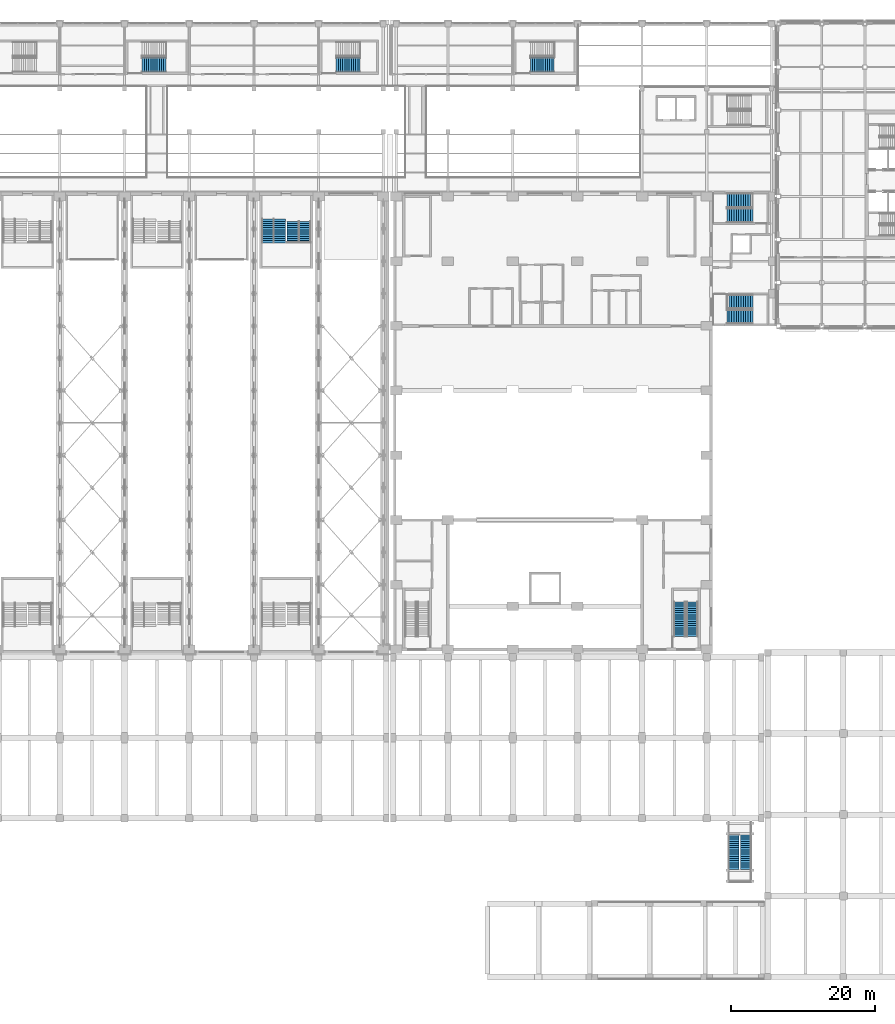
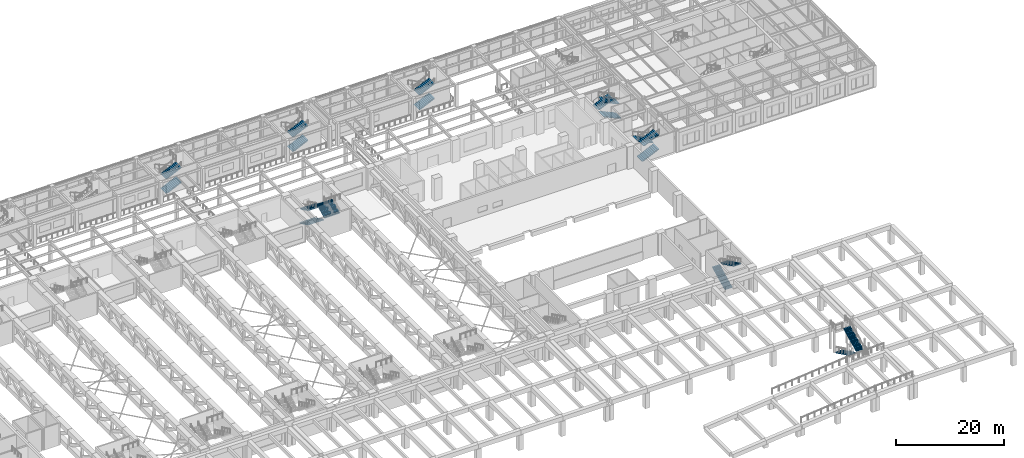
# One storey, part 50 of 76: 22 stair flights, 9 elements without a shape of their own.
"""IFC4 building model written with IfcOpenShell, lengths in metres."""

from ifc_helpers import new_model, si_unit, direction, frame, origin, place, context, subcontext, project, spatial, polyline, outline, extrude, material, type_object, element, aggregate, save


model = new_model("IFC4")

# Units and contexts
model_context = context("Model", 3, precision=1e-05, world=origin(), true_north=direction((0.0, 1.0)))
body_context = subcontext(model_context, "Body", "Model", "MODEL_VIEW")
ifc_project = project(units=[si_unit("LENGTHUNIT", "METRE"), si_unit("AREAUNIT", "SQUARE_METRE"), si_unit("VOLUMEUNIT", "CUBIC_METRE"), si_unit("PLANEANGLEUNIT", "RADIAN"), si_unit("MASSUNIT", "GRAM", prefix="KILO")], contexts=[model_context])

# Site, building, storey
site_placement = place(None, origin())
site = spatial("IfcSite", under=ifc_project, at=site_placement, CompositionType="ELEMENT")
building_placement = place(site_placement, origin())
building = spatial("IfcBuilding", under=site, at=building_placement, Name="Aravalli Gate Trade Fair Centre", CompositionType="ELEMENT")
storey_placement = place(building_placement, frame((0.0, 0.0, 10.0)))
storey = spatial("IfcBuildingStorey", under=building, at=storey_placement, Name="L02", CompositionType="ELEMENT", Elevation=10.0)

# Stair, stair flights
ifc_material_1 = material(Name="Concrete M30", Category="concrete")
stair_type_1 = type_object("IfcStairType", Name="Concourse stair, 2000 wide", PredefinedType="HALF_TURN_STAIR", material=ifc_material_1)
stair_1_placement = place(storey_placement, origin())
stair_1 = element("IfcStair", 1, at=stair_1_placement, inside=storey, type_object=stair_type_1, Name="Stair XC L02", PredefinedType="HALF_TURN_STAIR")
stair_flight_type_1 = type_object("IfcStairFlightType", Name="Concourse stair flight 2000", PredefinedType="STRAIGHT", material=ifc_material_1)
stair_flight_1_placement = place(storey_placement, frame((71.449951171875, 127.300048828125, 0.0), z_axis=(0.0, 0.0, 1.0), x_axis=(1.0, 0.0, 0.0)))
stair_flight_1 = element("IfcStairFlight", 2, at=stair_flight_1_placement, type_object=stair_flight_type_1, Name="STXC-L02 flight 1", NumberOfRisers=12, NumberOfTreads=11, PredefinedType="STRAIGHT", RiserHeight=0.138888889, TreadLength=0.3, context=body_context, shape_type="SweptSolid", body=[
    extrude(outline(polyline([(0.0, 0.0), (0.0, 0.138916015625), (0.300048828125, 0.138916015625), (0.300048828125, 0.27783203125), (0.60009765625, 0.27783203125), (0.60009765625, 0.416748046875), (0.89990234375, 0.416748046875), (0.89990234375, 0.5556640625), (1.199951171875, 0.5556640625), (1.199951171875, 0.6943359375), (1.5, 0.6943359375), (1.5, 0.833251953125), (1.800048828125, 0.833251953125), (1.800048828125, 0.97216796875), (2.10009765625, 0.97216796875), (2.10009765625, 1.111083984375), (2.39990234375, 1.111083984375), (2.39990234375, 1.25), (2.699951171875, 1.25), (2.699951171875, 1.388916015625), (3.0, 1.388916015625), (3.0, 1.52783203125), (3.300048828125, 1.52783203125), (3.300048828125, 1.666748046875), (3.300048828125, 1.307373046875), (0.475830078125, 0.0), (0.0, 0.0)])), frame((0.0, 1.0, 0.0), z_axis=(0.0, -1.0, 0.0), x_axis=(1.0, 0.0, 0.0)), (0.0, 0.0, 1.0), 2.0),
])
stair_flight_2_placement = place(storey_placement, frame((71.449951171875, 127.300048828125, 3.333251953125), z_axis=(0.0, 0.0, 1.0), x_axis=(1.0, 0.0, 0.0)))
stair_flight_2 = element("IfcStairFlight", 3, at=stair_flight_2_placement, type_object=stair_flight_type_1, Name="STXC-L02 flight 3", NumberOfRisers=12, NumberOfTreads=11, PredefinedType="STRAIGHT", RiserHeight=0.138888889, TreadLength=0.3, context=body_context, shape_type="SweptSolid", body=[
    extrude(outline(polyline([(0.0, 0.0), (0.0, 0.138916015625), (0.300048828125, 0.138916015625), (0.300048828125, 0.27783203125), (0.60009765625, 0.27783203125), (0.60009765625, 0.416748046875), (0.89990234375, 0.416748046875), (0.89990234375, 0.5556640625), (1.199951171875, 0.5556640625), (1.199951171875, 0.6943359375), (1.5, 0.6943359375), (1.5, 0.833251953125), (1.800048828125, 0.833251953125), (1.800048828125, 0.97216796875), (2.10009765625, 0.97216796875), (2.10009765625, 1.111083984375), (2.39990234375, 1.111083984375), (2.39990234375, 1.25), (2.699951171875, 1.25), (2.699951171875, 1.388916015625), (3.0, 1.388916015625), (3.0, 1.52783203125), (3.300048828125, 1.52783203125), (3.300048828125, 1.666748046875), (3.300048828125, 1.307373046875), (0.475830078125, 0.0), (0.0, 0.0)])), frame((0.0, 1.0, 0.0), z_axis=(0.0, -1.0, 0.0), x_axis=(1.0, 0.0, 0.0)), (0.0, 0.0, 1.0), 2.0),
])
aggregate(stair_1, [stair_flight_1, stair_flight_2])

stair_2_placement = place(storey_placement, origin())
stair_2 = element("IfcStair", 4, at=stair_2_placement, inside=storey, type_object=stair_type_1, Name="Stair XD L02", PredefinedType="HALF_TURN_STAIR")
stair_flight_3_placement = place(storey_placement, frame((98.449951171875, 127.300048828125, 0.0), z_axis=(0.0, 0.0, 1.0), x_axis=(1.0, 0.0, 0.0)))
stair_flight_3 = element("IfcStairFlight", 5, at=stair_flight_3_placement, type_object=stair_flight_type_1, Name="STXD-L02 flight 1", NumberOfRisers=12, NumberOfTreads=11, PredefinedType="STRAIGHT", RiserHeight=0.138888889, TreadLength=0.3, context=body_context, shape_type="SweptSolid", body=[
    extrude(outline(polyline([(0.0, 0.0), (0.0, 0.138916015625), (0.300048828125, 0.138916015625), (0.300048828125, 0.27783203125), (0.60009765625, 0.27783203125), (0.60009765625, 0.416748046875), (0.89990234375, 0.416748046875), (0.89990234375, 0.5556640625), (1.199951171875, 0.5556640625), (1.199951171875, 0.6943359375), (1.5, 0.6943359375), (1.5, 0.833251953125), (1.800048828125, 0.833251953125), (1.800048828125, 0.97216796875), (2.10009765625, 0.97216796875), (2.10009765625, 1.111083984375), (2.39990234375, 1.111083984375), (2.39990234375, 1.25), (2.699951171875, 1.25), (2.699951171875, 1.388916015625), (3.0, 1.388916015625), (3.0, 1.52783203125), (3.300048828125, 1.52783203125), (3.300048828125, 1.666748046875), (3.300048828125, 1.307373046875), (0.475830078125, 0.0), (0.0, 0.0)])), frame((0.0, 1.0, 0.0), z_axis=(0.0, -1.0, 0.0), x_axis=(1.0, 0.0, 0.0)), (0.0, 0.0, 1.0), 2.0),
])
stair_flight_4_placement = place(storey_placement, frame((98.449951171875, 127.300048828125, 3.333251953125), z_axis=(0.0, 0.0, 1.0), x_axis=(1.0, 0.0, 0.0)))
stair_flight_4 = element("IfcStairFlight", 6, at=stair_flight_4_placement, type_object=stair_flight_type_1, Name="STXD-L02 flight 3", NumberOfRisers=12, NumberOfTreads=11, PredefinedType="STRAIGHT", RiserHeight=0.138888889, TreadLength=0.3, context=body_context, shape_type="SweptSolid", body=[
    extrude(outline(polyline([(0.0, 0.0), (0.0, 0.138916015625), (0.300048828125, 0.138916015625), (0.300048828125, 0.27783203125), (0.60009765625, 0.27783203125), (0.60009765625, 0.416748046875), (0.89990234375, 0.416748046875), (0.89990234375, 0.5556640625), (1.199951171875, 0.5556640625), (1.199951171875, 0.6943359375), (1.5, 0.6943359375), (1.5, 0.833251953125), (1.800048828125, 0.833251953125), (1.800048828125, 0.97216796875), (2.10009765625, 0.97216796875), (2.10009765625, 1.111083984375), (2.39990234375, 1.111083984375), (2.39990234375, 1.25), (2.699951171875, 1.25), (2.699951171875, 1.388916015625), (3.0, 1.388916015625), (3.0, 1.52783203125), (3.300048828125, 1.52783203125), (3.300048828125, 1.666748046875), (3.300048828125, 1.307373046875), (0.475830078125, 0.0), (0.0, 0.0)])), frame((0.0, 1.0, 0.0), z_axis=(0.0, -1.0, 0.0), x_axis=(1.0, 0.0, 0.0)), (0.0, 0.0, 1.0), 2.0),
])
aggregate(stair_2, [stair_flight_3, stair_flight_4])

stair_3_placement = place(storey_placement, origin())
stair_3 = element("IfcStair", 7, at=stair_3_placement, inside=storey, type_object=stair_type_1, Name="Stair XE L02", PredefinedType="HALF_TURN_STAIR")
stair_flight_5_placement = place(storey_placement, frame((125.449951171875, 127.300048828125, 0.0), z_axis=(0.0, 0.0, 1.0), x_axis=(1.0, 0.0, 0.0)))
stair_flight_5 = element("IfcStairFlight", 8, at=stair_flight_5_placement, type_object=stair_flight_type_1, Name="STXE-L02 flight 1", NumberOfRisers=12, NumberOfTreads=11, PredefinedType="STRAIGHT", RiserHeight=0.138888889, TreadLength=0.3, context=body_context, shape_type="SweptSolid", body=[
    extrude(outline(polyline([(0.0, 0.0), (0.0, 0.138916015625), (0.300048828125, 0.138916015625), (0.300048828125, 0.27783203125), (0.60009765625, 0.27783203125), (0.60009765625, 0.416748046875), (0.89990234375, 0.416748046875), (0.89990234375, 0.5556640625), (1.199951171875, 0.5556640625), (1.199951171875, 0.6943359375), (1.5, 0.6943359375), (1.5, 0.833251953125), (1.800048828125, 0.833251953125), (1.800048828125, 0.97216796875), (2.10009765625, 0.97216796875), (2.10009765625, 1.111083984375), (2.39990234375, 1.111083984375), (2.39990234375, 1.25), (2.699951171875, 1.25), (2.699951171875, 1.388916015625), (3.0, 1.388916015625), (3.0, 1.52783203125), (3.300048828125, 1.52783203125), (3.300048828125, 1.666748046875), (3.300048828125, 1.307373046875), (0.475830078125, 0.0), (0.0, 0.0)])), frame((0.0, 1.0, 0.0), z_axis=(0.0, -1.0, 0.0), x_axis=(1.0, 0.0, 0.0)), (0.0, 0.0, 1.0), 2.0),
])
stair_flight_6_placement = place(storey_placement, frame((125.449951171875, 127.300048828125, 3.333251953125), z_axis=(0.0, 0.0, 1.0), x_axis=(1.0, 0.0, 0.0)))
stair_flight_6 = element("IfcStairFlight", 9, at=stair_flight_6_placement, type_object=stair_flight_type_1, Name="STXE-L02 flight 3", NumberOfRisers=12, NumberOfTreads=11, PredefinedType="STRAIGHT", RiserHeight=0.138888889, TreadLength=0.3, context=body_context, shape_type="SweptSolid", body=[
    extrude(outline(polyline([(0.0, 0.0), (0.0, 0.138916015625), (0.300048828125, 0.138916015625), (0.300048828125, 0.27783203125), (0.60009765625, 0.27783203125), (0.60009765625, 0.416748046875), (0.89990234375, 0.416748046875), (0.89990234375, 0.5556640625), (1.199951171875, 0.5556640625), (1.199951171875, 0.6943359375), (1.5, 0.6943359375), (1.5, 0.833251953125), (1.800048828125, 0.833251953125), (1.800048828125, 0.97216796875), (2.10009765625, 0.97216796875), (2.10009765625, 1.111083984375), (2.39990234375, 1.111083984375), (2.39990234375, 1.25), (2.699951171875, 1.25), (2.699951171875, 1.388916015625), (3.0, 1.388916015625), (3.0, 1.52783203125), (3.300048828125, 1.52783203125), (3.300048828125, 1.666748046875), (3.300048828125, 1.307373046875), (0.475830078125, 0.0), (0.0, 0.0)])), frame((0.0, 1.0, 0.0), z_axis=(0.0, -1.0, 0.0), x_axis=(1.0, 0.0, 0.0)), (0.0, 0.0, 1.0), 2.0),
])
aggregate(stair_3, [stair_flight_5, stair_flight_6])

ifc_material_2 = material(Name="Concrete M45", Category="concrete")
stair_type_2 = type_object("IfcStairType", Name="Congress exit stair", PredefinedType="HALF_TURN_STAIR", material=ifc_material_2)
stair_4_placement = place(storey_placement, origin())
stair_4 = element("IfcStair", 10, at=stair_4_placement, inside=storey, type_object=stair_type_2, Name="Stage Stair East L02", PredefinedType="HALF_TURN_STAIR")
stair_flight_type_2 = type_object("IfcStairFlightType", Name="Congress exit stair flight", PredefinedType="STRAIGHT", material=ifc_material_2)
stair_flight_7_placement = place(storey_placement, frame((146.199951171875, 47.800048828125, 0.0), z_axis=(0.0, 0.0, 1.0), x_axis=(0.0, 1.0, 0.0)))
stair_flight_7 = element("IfcStairFlight", 11, at=stair_flight_7_placement, type_object=stair_flight_type_2, Name="GX2 flight 1", NumberOfRisers=17, NumberOfTreads=16, PredefinedType="STRAIGHT", RiserHeight=0.147058824, TreadLength=0.3, context=body_context, shape_type="SweptSolid", body=[
    extrude(outline(polyline([(0.0, 0.0), (0.0, 0.14697265625), (0.300048828125, 0.14697265625), (0.300048828125, 0.294189453125), (0.60009765625, 0.294189453125), (0.60009765625, 0.441162109375), (0.89990234375, 0.441162109375), (0.89990234375, 0.588134765625), (1.199951171875, 0.588134765625), (1.199951171875, 0.7353515625), (1.5, 0.7353515625), (1.5, 0.88232421875), (1.800048828125, 0.88232421875), (1.800048828125, 1.029296875), (2.10009765625, 1.029296875), (2.10009765625, 1.176513671875), (2.39990234375, 1.176513671875), (2.39990234375, 1.323486328125), (2.699951171875, 1.323486328125), (2.699951171875, 1.470703125), (3.0, 1.470703125), (3.0, 1.61767578125), (3.300048828125, 1.61767578125), (3.300048828125, 1.7646484375), (3.60009765625, 1.7646484375), (3.60009765625, 1.911865234375), (3.89990234375, 1.911865234375), (3.89990234375, 2.058837890625), (4.199951171875, 2.058837890625), (4.199951171875, 2.205810546875), (4.5, 2.205810546875), (4.5, 2.35302734375), (4.800048828125, 2.35302734375), (4.800048828125, 2.5), (4.800048828125, 2.18603515625), (0.340576171875, 0.0), (0.0, 0.0)])), frame((0.0, 0.800048828125, 0.0), z_axis=(0.0, -1.0, 0.0), x_axis=(1.0, 0.0, 0.0)), (0.0, 0.0, 1.0), 1.60009765625),
])
stair_flight_8_placement = place(storey_placement, frame((148.0, 52.60009765625, 2.5), z_axis=(0.0, 0.0, 1.0), x_axis=(0.0, -1.0, 0.0)))
stair_flight_8 = element("IfcStairFlight", 12, at=stair_flight_8_placement, type_object=stair_flight_type_2, Name="GX2 flight 2", NumberOfRisers=17, NumberOfTreads=16, PredefinedType="STRAIGHT", RiserHeight=0.147058824, TreadLength=0.3, context=body_context, shape_type="SweptSolid", body=[
    extrude(outline(polyline([(0.0, 0.0), (0.0, 0.14697265625), (0.300048828125, 0.14697265625), (0.300048828125, 0.294189453125), (0.60009765625, 0.294189453125), (0.60009765625, 0.441162109375), (0.89990234375, 0.441162109375), (0.89990234375, 0.588134765625), (1.199951171875, 0.588134765625), (1.199951171875, 0.7353515625), (1.5, 0.7353515625), (1.5, 0.88232421875), (1.800048828125, 0.88232421875), (1.800048828125, 1.029296875), (2.10009765625, 1.029296875), (2.10009765625, 1.176513671875), (2.39990234375, 1.176513671875), (2.39990234375, 1.323486328125), (2.699951171875, 1.323486328125), (2.699951171875, 1.470703125), (3.0, 1.470703125), (3.0, 1.61767578125), (3.300048828125, 1.61767578125), (3.300048828125, 1.7646484375), (3.60009765625, 1.7646484375), (3.60009765625, 1.911865234375), (3.89990234375, 1.911865234375), (3.89990234375, 2.058837890625), (4.199951171875, 2.058837890625), (4.199951171875, 2.205810546875), (4.5, 2.205810546875), (4.5, 2.35302734375), (4.800048828125, 2.35302734375), (4.800048828125, 2.5), (4.800048828125, 2.18603515625), (0.340576171875, 0.0), (0.0, 0.0)])), frame((0.0, 0.800048828125, 0.0), z_axis=(0.0, -1.0, 0.0), x_axis=(1.0, 0.0, 0.0)), (0.0, 0.0, 1.0), 1.60009765625),
])
aggregate(stair_4, [stair_flight_7, stair_flight_8])

stair_type_3 = type_object("IfcStairType", Name="External stair 1500", PredefinedType="HALF_TURN_STAIR", material=ifc_material_2)
stair_5_placement = place(storey_placement, origin())
stair_5 = element("IfcStair", 13, at=stair_5_placement, inside=storey, type_object=stair_type_3, Name="External stair 2 L02", PredefinedType="HALF_TURN_STAIR")
stair_flight_type_3 = type_object("IfcStairFlightType", Name="External stair flight 1500", PredefinedType="STRAIGHT", material=ifc_material_2)
stair_flight_9_placement = place(storey_placement, frame((153.75, 20.199951171875, 0.0), z_axis=(0.0, 0.0, 1.0), x_axis=(0.0, -1.0, 0.0)))
stair_flight_9 = element("IfcStairFlight", 14, at=stair_flight_9_placement, type_object=stair_flight_type_3, Name="SST6 flight 1", NumberOfRisers=17, NumberOfTreads=16, PredefinedType="STRAIGHT", RiserHeight=0.147058824, TreadLength=0.3, context=body_context, shape_type="SweptSolid", body=[
    extrude(outline(polyline([(0.0, 0.0), (0.0, 0.14697265625), (0.300048828125, 0.14697265625), (0.300048828125, 0.294189453125), (0.60009765625, 0.294189453125), (0.60009765625, 0.441162109375), (0.89990234375, 0.441162109375), (0.89990234375, 0.588134765625), (1.199951171875, 0.588134765625), (1.199951171875, 0.7353515625), (1.5, 0.7353515625), (1.5, 0.88232421875), (1.800048828125, 0.88232421875), (1.800048828125, 1.029296875), (2.10009765625, 1.029296875), (2.10009765625, 1.176513671875), (2.39990234375, 1.176513671875), (2.39990234375, 1.323486328125), (2.699951171875, 1.323486328125), (2.699951171875, 1.470703125), (3.0, 1.470703125), (3.0, 1.61767578125), (3.300048828125, 1.61767578125), (3.300048828125, 1.7646484375), (3.60009765625, 1.7646484375), (3.60009765625, 1.911865234375), (3.89990234375, 1.911865234375), (3.89990234375, 2.058837890625), (4.199951171875, 2.058837890625), (4.199951171875, 2.205810546875), (4.5, 2.205810546875), (4.5, 2.35302734375), (4.800048828125, 2.35302734375), (4.800048828125, 2.5), (4.800048828125, 2.18603515625), (0.340576171875, 0.0), (0.0, 0.0)])), frame((0.0, 0.75, 0.0), z_axis=(0.0, -1.0, 0.0), x_axis=(1.0, 0.0, 0.0)), (0.0, 0.0, 1.0), 1.5),
])
stair_flight_10_placement = place(storey_placement, frame((155.449951171875, 15.39990234375, 2.5), z_axis=(0.0, 0.0, 1.0), x_axis=(0.0, 1.0, 0.0)))
stair_flight_10 = element("IfcStairFlight", 15, at=stair_flight_10_placement, type_object=stair_flight_type_3, Name="SST6 flight 2", NumberOfRisers=17, NumberOfTreads=16, PredefinedType="STRAIGHT", RiserHeight=0.147058824, TreadLength=0.3, context=body_context, shape_type="SweptSolid", body=[
    extrude(outline(polyline([(0.0, 0.0), (0.0, 0.14697265625), (0.300048828125, 0.14697265625), (0.300048828125, 0.294189453125), (0.60009765625, 0.294189453125), (0.60009765625, 0.441162109375), (0.89990234375, 0.441162109375), (0.89990234375, 0.588134765625), (1.199951171875, 0.588134765625), (1.199951171875, 0.7353515625), (1.5, 0.7353515625), (1.5, 0.88232421875), (1.800048828125, 0.88232421875), (1.800048828125, 1.029296875), (2.10009765625, 1.029296875), (2.10009765625, 1.176513671875), (2.39990234375, 1.176513671875), (2.39990234375, 1.323486328125), (2.699951171875, 1.323486328125), (2.699951171875, 1.470703125), (3.0, 1.470703125), (3.0, 1.61767578125), (3.300048828125, 1.61767578125), (3.300048828125, 1.7646484375), (3.60009765625, 1.7646484375), (3.60009765625, 1.911865234375), (3.89990234375, 1.911865234375), (3.89990234375, 2.058837890625), (4.199951171875, 2.058837890625), (4.199951171875, 2.205810546875), (4.5, 2.205810546875), (4.5, 2.35302734375), (4.800048828125, 2.35302734375), (4.800048828125, 2.5), (4.800048828125, 2.18603515625), (0.340576171875, 0.0), (0.0, 0.0)])), frame((0.0, 0.75, 0.0), z_axis=(0.0, -1.0, 0.0), x_axis=(1.0, 0.0, 0.0)), (0.0, 0.0, 1.0), 1.5),
])
aggregate(stair_5, [stair_flight_9, stair_flight_10])

ifc_material_3 = material(Name="Concrete M40", Category="concrete")
stair_type_4 = type_object("IfcStairType", Name="Hall exit stair, three flights", PredefinedType="HALF_TURN_STAIR", material=ifc_material_3)
stair_6_placement = place(storey_placement, origin())
stair_6 = element("IfcStair", 16, at=stair_6_placement, inside=storey, type_object=stair_type_4, Name="Exit stair ST-N10 lane A L02", PredefinedType="HALF_TURN_STAIR")
stair_flight_type_4 = type_object("IfcStairFlightType", Name="Hall exit stair flight", PredefinedType="STRAIGHT", material=ifc_material_3)
stair_flight_11_placement = place(storey_placement, frame((88.919921875, 105.85009765625, 0.0), z_axis=(0.0, 0.0, 1.0), x_axis=(0.0, -1.0, 0.0)))
stair_flight_11 = element("IfcStairFlight", 17, at=stair_flight_11_placement, type_object=stair_flight_type_4, Name="ST-N10A flight 1", NumberOfRisers=12, NumberOfTreads=11, PredefinedType="STRAIGHT", RiserHeight=0.147058824, TreadLength=0.3, context=body_context, shape_type="SweptSolid", body=[
    extrude(outline(polyline([(0.0, 0.0), (0.0, 0.14697265625), (0.300048828125, 0.14697265625), (0.300048828125, 0.294189453125), (0.60009765625, 0.294189453125), (0.60009765625, 0.441162109375), (0.89990234375, 0.441162109375), (0.89990234375, 0.588134765625), (1.199951171875, 0.588134765625), (1.199951171875, 0.7353515625), (1.5, 0.7353515625), (1.5, 0.88232421875), (1.800048828125, 0.88232421875), (1.800048828125, 1.029296875), (2.10009765625, 1.029296875), (2.10009765625, 1.176513671875), (2.39990234375, 1.176513671875), (2.39990234375, 1.323486328125), (2.699951171875, 1.323486328125), (2.699951171875, 1.470703125), (3.0, 1.470703125), (3.0, 1.61767578125), (3.300048828125, 1.61767578125), (3.300048828125, 1.7646484375), (3.300048828125, 1.45068359375), (0.340576171875, 0.0), (0.0, 0.0)])), frame((0.0, 0.81982421875, 0.0), z_axis=(0.0, -1.0, 0.0), x_axis=(1.0, 0.0, 0.0)), (0.0, 0.0, 1.0), 1.639892578125),
])
stair_flight_12_placement = place(storey_placement, frame((92.419921875, 102.550048828125, 1.7646484375), z_axis=(0.0, 0.0, 1.0), x_axis=(0.0, 1.0, 0.0)))
stair_flight_12 = element("IfcStairFlight", 18, at=stair_flight_12_placement, type_object=stair_flight_type_4, Name="ST-N10A flight 2", NumberOfRisers=11, NumberOfTreads=10, PredefinedType="STRAIGHT", RiserHeight=0.147058824, TreadLength=0.3, context=body_context, shape_type="SweptSolid", body=[
    extrude(outline(polyline([(0.0, 0.0), (0.0, 0.14697265625), (0.300048828125, 0.14697265625), (0.300048828125, 0.294189453125), (0.60009765625, 0.294189453125), (0.60009765625, 0.441162109375), (0.89990234375, 0.441162109375), (0.89990234375, 0.588134765625), (1.199951171875, 0.588134765625), (1.199951171875, 0.7353515625), (1.5, 0.7353515625), (1.5, 0.88232421875), (1.800048828125, 0.88232421875), (1.800048828125, 1.029296875), (2.10009765625, 1.029296875), (2.10009765625, 1.176513671875), (2.39990234375, 1.176513671875), (2.39990234375, 1.323486328125), (2.699951171875, 1.323486328125), (2.699951171875, 1.470703125), (3.0, 1.470703125), (3.0, 1.61767578125), (3.0, 1.3037109375), (0.340576171875, 0.0), (0.0, 0.0)])), frame((0.0, 0.81982421875, 0.0), z_axis=(0.0, -1.0, 0.0), x_axis=(1.0, 0.0, 0.0)), (0.0, 0.0, 1.0), 1.639892578125),
])
stair_flight_13_placement = place(storey_placement, frame((88.919921875, 105.550048828125, 3.38232421875), z_axis=(0.0, 0.0, 1.0), x_axis=(0.0, -1.0, 0.0)))
stair_flight_13 = element("IfcStairFlight", 19, at=stair_flight_13_placement, type_object=stair_flight_type_4, Name="ST-N10A flight 3", NumberOfRisers=11, NumberOfTreads=10, PredefinedType="STRAIGHT", RiserHeight=0.147058824, TreadLength=0.3, context=body_context, shape_type="SweptSolid", body=[
    extrude(outline(polyline([(0.0, 0.0), (0.0, 0.14697265625), (0.300048828125, 0.14697265625), (0.300048828125, 0.294189453125), (0.60009765625, 0.294189453125), (0.60009765625, 0.441162109375), (0.89990234375, 0.441162109375), (0.89990234375, 0.588134765625), (1.199951171875, 0.588134765625), (1.199951171875, 0.7353515625), (1.5, 0.7353515625), (1.5, 0.88232421875), (1.800048828125, 0.88232421875), (1.800048828125, 1.029296875), (2.10009765625, 1.029296875), (2.10009765625, 1.176513671875), (2.39990234375, 1.176513671875), (2.39990234375, 1.323486328125), (2.699951171875, 1.323486328125), (2.699951171875, 1.470703125), (3.0, 1.470703125), (3.0, 1.61767578125), (3.0, 1.3037109375), (0.340576171875, 0.0), (0.0, 0.0)])), frame((0.0, 0.81982421875, 0.0), z_axis=(0.0, -1.0, 0.0), x_axis=(1.0, 0.0, 0.0)), (0.0, 0.0, 1.0), 1.639892578125),
])
aggregate(stair_6, [stair_flight_11, stair_flight_12, stair_flight_13])

stair_7_placement = place(storey_placement, origin())
stair_7 = element("IfcStair", 20, at=stair_7_placement, inside=storey, type_object=stair_type_4, Name="Exit stair ST-N10 lane B L02", PredefinedType="HALF_TURN_STAIR")
stair_flight_14_placement = place(storey_placement, frame((90.580078125, 105.85009765625, 0.0), z_axis=(0.0, 0.0, 1.0), x_axis=(0.0, -1.0, 0.0)))
stair_flight_14 = element("IfcStairFlight", 21, at=stair_flight_14_placement, type_object=stair_flight_type_4, Name="ST-N10B flight 1", NumberOfRisers=12, NumberOfTreads=11, PredefinedType="STRAIGHT", RiserHeight=0.147058824, TreadLength=0.3, context=body_context, shape_type="SweptSolid", body=[
    extrude(outline(polyline([(0.0, 0.0), (0.0, 0.14697265625), (0.300048828125, 0.14697265625), (0.300048828125, 0.294189453125), (0.60009765625, 0.294189453125), (0.60009765625, 0.441162109375), (0.89990234375, 0.441162109375), (0.89990234375, 0.588134765625), (1.199951171875, 0.588134765625), (1.199951171875, 0.7353515625), (1.5, 0.7353515625), (1.5, 0.88232421875), (1.800048828125, 0.88232421875), (1.800048828125, 1.029296875), (2.10009765625, 1.029296875), (2.10009765625, 1.176513671875), (2.39990234375, 1.176513671875), (2.39990234375, 1.323486328125), (2.699951171875, 1.323486328125), (2.699951171875, 1.470703125), (3.0, 1.470703125), (3.0, 1.61767578125), (3.300048828125, 1.61767578125), (3.300048828125, 1.7646484375), (3.300048828125, 1.45068359375), (0.340576171875, 0.0), (0.0, 0.0)])), frame((0.0, 0.81982421875, 0.0), z_axis=(0.0, -1.0, 0.0), x_axis=(1.0, 0.0, 0.0)), (0.0, 0.0, 1.0), 1.639892578125),
])
stair_flight_15_placement = place(storey_placement, frame((94.080078125, 102.550048828125, 1.7646484375), z_axis=(0.0, 0.0, 1.0), x_axis=(0.0, 1.0, 0.0)))
stair_flight_15 = element("IfcStairFlight", 22, at=stair_flight_15_placement, type_object=stair_flight_type_4, Name="ST-N10B flight 2", NumberOfRisers=11, NumberOfTreads=10, PredefinedType="STRAIGHT", RiserHeight=0.147058824, TreadLength=0.3, context=body_context, shape_type="SweptSolid", body=[
    extrude(outline(polyline([(0.0, 0.0), (0.0, 0.14697265625), (0.300048828125, 0.14697265625), (0.300048828125, 0.294189453125), (0.60009765625, 0.294189453125), (0.60009765625, 0.441162109375), (0.89990234375, 0.441162109375), (0.89990234375, 0.588134765625), (1.199951171875, 0.588134765625), (1.199951171875, 0.7353515625), (1.5, 0.7353515625), (1.5, 0.88232421875), (1.800048828125, 0.88232421875), (1.800048828125, 1.029296875), (2.10009765625, 1.029296875), (2.10009765625, 1.176513671875), (2.39990234375, 1.176513671875), (2.39990234375, 1.323486328125), (2.699951171875, 1.323486328125), (2.699951171875, 1.470703125), (3.0, 1.470703125), (3.0, 1.61767578125), (3.0, 1.3037109375), (0.340576171875, 0.0), (0.0, 0.0)])), frame((0.0, 0.81982421875, 0.0), z_axis=(0.0, -1.0, 0.0), x_axis=(1.0, 0.0, 0.0)), (0.0, 0.0, 1.0), 1.639892578125),
])
stair_flight_16_placement = place(storey_placement, frame((90.580078125, 105.550048828125, 3.38232421875), z_axis=(0.0, 0.0, 1.0), x_axis=(0.0, -1.0, 0.0)))
stair_flight_16 = element("IfcStairFlight", 23, at=stair_flight_16_placement, type_object=stair_flight_type_4, Name="ST-N10B flight 3", NumberOfRisers=11, NumberOfTreads=10, PredefinedType="STRAIGHT", RiserHeight=0.147058824, TreadLength=0.3, context=body_context, shape_type="SweptSolid", body=[
    extrude(outline(polyline([(0.0, 0.0), (0.0, 0.14697265625), (0.300048828125, 0.14697265625), (0.300048828125, 0.294189453125), (0.60009765625, 0.294189453125), (0.60009765625, 0.441162109375), (0.89990234375, 0.441162109375), (0.89990234375, 0.588134765625), (1.199951171875, 0.588134765625), (1.199951171875, 0.7353515625), (1.5, 0.7353515625), (1.5, 0.88232421875), (1.800048828125, 0.88232421875), (1.800048828125, 1.029296875), (2.10009765625, 1.029296875), (2.10009765625, 1.176513671875), (2.39990234375, 1.176513671875), (2.39990234375, 1.323486328125), (2.699951171875, 1.323486328125), (2.699951171875, 1.470703125), (3.0, 1.470703125), (3.0, 1.61767578125), (3.0, 1.3037109375), (0.340576171875, 0.0), (0.0, 0.0)])), frame((0.0, 0.81982421875, 0.0), z_axis=(0.0, -1.0, 0.0), x_axis=(1.0, 0.0, 0.0)), (0.0, 0.0, 1.0), 1.639892578125),
])
aggregate(stair_7, [stair_flight_14, stair_flight_15, stair_flight_16])

stair_type_5 = type_object("IfcStairType", Name="Wing core stair", PredefinedType="HALF_TURN_STAIR", material=ifc_material_1)
stair_8_placement = place(storey_placement, origin())
stair_8 = element("IfcStair", 24, at=stair_8_placement, inside=storey, type_object=stair_type_5, Name="Stair LA L02", PredefinedType="HALF_TURN_STAIR")
stair_flight_type_5 = type_object("IfcStairFlightType", Name="Wing core stair flight", PredefinedType="STRAIGHT", material=ifc_material_1)
stair_flight_17_placement = place(storey_placement, frame((152.800048828125, 92.25, 0.0), z_axis=(0.0, 0.0, 1.0), x_axis=(1.0, 0.0, 0.0)))
stair_flight_17 = element("IfcStairFlight", 25, at=stair_flight_17_placement, type_object=stair_flight_type_5, Name="TST1 flight 1", NumberOfRisers=12, NumberOfTreads=11, PredefinedType="STRAIGHT", RiserHeight=0.147058824, TreadLength=0.327, context=body_context, shape_type="SweptSolid", body=[
    extrude(outline(polyline([(0.0, 0.0), (0.0, 0.14697265625), (0.326904296875, 0.14697265625), (0.326904296875, 0.294189453125), (0.654052734375, 0.294189453125), (0.654052734375, 0.441162109375), (0.98095703125, 0.441162109375), (0.98095703125, 0.588134765625), (1.30810546875, 0.588134765625), (1.30810546875, 0.7353515625), (1.635009765625, 0.7353515625), (1.635009765625, 0.88232421875), (1.9619140625, 0.88232421875), (1.9619140625, 1.029296875), (2.2890625, 1.029296875), (2.2890625, 1.176513671875), (2.615966796875, 1.176513671875), (2.615966796875, 1.323486328125), (2.943115234375, 1.323486328125), (2.943115234375, 1.470703125), (3.27001953125, 1.470703125), (3.27001953125, 1.61767578125), (3.596923828125, 1.61767578125), (3.596923828125, 1.7646484375), (3.596923828125, 1.475341796875), (0.316650390625, 0.0), (0.0, 0.0)])), frame((0.0, 1.0, 0.0), z_axis=(0.0, -1.0, 0.0), x_axis=(1.0, 0.0, 0.0)), (0.0, 0.0, 1.0), 2.0),
])
stair_flight_18_placement = place(storey_placement, frame((156.39697265625, 94.35009765625, 1.7646484375), z_axis=(0.0, 0.0, 1.0), x_axis=(-1.0, 0.0, 0.0)))
stair_flight_18 = element("IfcStairFlight", 26, at=stair_flight_18_placement, type_object=stair_flight_type_5, Name="TST1 flight 2", NumberOfRisers=11, NumberOfTreads=10, PredefinedType="STRAIGHT", RiserHeight=0.147058824, TreadLength=0.327, context=body_context, shape_type="SweptSolid", body=[
    extrude(outline(polyline([(0.0, 0.0), (0.0, 0.14697265625), (0.326904296875, 0.14697265625), (0.326904296875, 0.294189453125), (0.654052734375, 0.294189453125), (0.654052734375, 0.441162109375), (0.98095703125, 0.441162109375), (0.98095703125, 0.588134765625), (1.30810546875, 0.588134765625), (1.30810546875, 0.7353515625), (1.635009765625, 0.7353515625), (1.635009765625, 0.88232421875), (1.9619140625, 0.88232421875), (1.9619140625, 1.029296875), (2.2890625, 1.029296875), (2.2890625, 1.176513671875), (2.615966796875, 1.176513671875), (2.615966796875, 1.323486328125), (2.943115234375, 1.323486328125), (2.943115234375, 1.470703125), (3.27001953125, 1.470703125), (3.27001953125, 1.61767578125), (3.27001953125, 1.328125), (0.316650390625, 0.0), (0.0, 0.0)])), frame((0.0, 1.0, 0.0), z_axis=(0.0, -1.0, 0.0), x_axis=(1.0, 0.0, 0.0)), (0.0, 0.0, 1.0), 2.0),
])
stair_flight_19_placement = place(storey_placement, frame((153.126953125, 92.25, 3.38232421875), z_axis=(0.0, 0.0, 1.0), x_axis=(1.0, 0.0, 0.0)))
stair_flight_19 = element("IfcStairFlight", 27, at=stair_flight_19_placement, type_object=stair_flight_type_5, Name="TST1 flight 3", NumberOfRisers=11, NumberOfTreads=10, PredefinedType="STRAIGHT", RiserHeight=0.147058824, TreadLength=0.327, context=body_context, shape_type="SweptSolid", body=[
    extrude(outline(polyline([(0.0, 0.0), (0.0, 0.14697265625), (0.326904296875, 0.14697265625), (0.326904296875, 0.294189453125), (0.654052734375, 0.294189453125), (0.654052734375, 0.441162109375), (0.98095703125, 0.441162109375), (0.98095703125, 0.588134765625), (1.30810546875, 0.588134765625), (1.30810546875, 0.7353515625), (1.635009765625, 0.7353515625), (1.635009765625, 0.88232421875), (1.9619140625, 0.88232421875), (1.9619140625, 1.029296875), (2.2890625, 1.029296875), (2.2890625, 1.176513671875), (2.615966796875, 1.176513671875), (2.615966796875, 1.323486328125), (2.943115234375, 1.323486328125), (2.943115234375, 1.470703125), (3.27001953125, 1.470703125), (3.27001953125, 1.61767578125), (3.27001953125, 1.328125), (0.316650390625, 0.0), (0.0, 0.0)])), frame((0.0, 1.0, 0.0), z_axis=(0.0, -1.0, 0.0), x_axis=(1.0, 0.0, 0.0)), (0.0, 0.0, 1.0), 2.0),
])
aggregate(stair_8, [stair_flight_17, stair_flight_18, stair_flight_19])

stair_9_placement = place(storey_placement, origin())
stair_9 = element("IfcStair", 28, at=stair_9_placement, inside=storey, type_object=stair_type_5, Name="Stair LB L02", PredefinedType="HALF_TURN_STAIR")
stair_flight_20_placement = place(storey_placement, frame((156.39990234375, 106.35009765625, 0.0), z_axis=(0.0, 0.0, 1.0), x_axis=(-1.0, 0.0, 0.0)))
stair_flight_20 = element("IfcStairFlight", 29, at=stair_flight_20_placement, type_object=stair_flight_type_5, Name="TST1 flight 1", NumberOfRisers=12, NumberOfTreads=11, PredefinedType="STRAIGHT", RiserHeight=0.147058824, TreadLength=0.327, context=body_context, shape_type="SweptSolid", body=[
    extrude(outline(polyline([(0.0, 0.0), (0.0, 0.14697265625), (0.326904296875, 0.14697265625), (0.326904296875, 0.294189453125), (0.654052734375, 0.294189453125), (0.654052734375, 0.441162109375), (0.98095703125, 0.441162109375), (0.98095703125, 0.588134765625), (1.30810546875, 0.588134765625), (1.30810546875, 0.7353515625), (1.635009765625, 0.7353515625), (1.635009765625, 0.88232421875), (1.9619140625, 0.88232421875), (1.9619140625, 1.029296875), (2.2890625, 1.029296875), (2.2890625, 1.176513671875), (2.615966796875, 1.176513671875), (2.615966796875, 1.323486328125), (2.943115234375, 1.323486328125), (2.943115234375, 1.470703125), (3.27001953125, 1.470703125), (3.27001953125, 1.61767578125), (3.596923828125, 1.61767578125), (3.596923828125, 1.7646484375), (3.596923828125, 1.475341796875), (0.316650390625, 0.0), (0.0, 0.0)])), frame((0.0, 1.0, 0.0), z_axis=(0.0, -1.0, 0.0), x_axis=(1.0, 0.0, 0.0)), (0.0, 0.0, 1.0), 2.0),
])
stair_flight_21_placement = place(storey_placement, frame((152.802978515625, 108.449951171875, 1.7646484375), z_axis=(0.0, 0.0, 1.0), x_axis=(1.0, 0.0, 0.0)))
stair_flight_21 = element("IfcStairFlight", 30, at=stair_flight_21_placement, type_object=stair_flight_type_5, Name="TST1 flight 2", NumberOfRisers=11, NumberOfTreads=10, PredefinedType="STRAIGHT", RiserHeight=0.147058824, TreadLength=0.327, context=body_context, shape_type="SweptSolid", body=[
    extrude(outline(polyline([(0.0, 0.0), (0.0, 0.14697265625), (0.326904296875, 0.14697265625), (0.326904296875, 0.294189453125), (0.654052734375, 0.294189453125), (0.654052734375, 0.441162109375), (0.98095703125, 0.441162109375), (0.98095703125, 0.588134765625), (1.30810546875, 0.588134765625), (1.30810546875, 0.7353515625), (1.635009765625, 0.7353515625), (1.635009765625, 0.88232421875), (1.9619140625, 0.88232421875), (1.9619140625, 1.029296875), (2.2890625, 1.029296875), (2.2890625, 1.176513671875), (2.615966796875, 1.176513671875), (2.615966796875, 1.323486328125), (2.943115234375, 1.323486328125), (2.943115234375, 1.470703125), (3.27001953125, 1.470703125), (3.27001953125, 1.61767578125), (3.27001953125, 1.328125), (0.316650390625, 0.0), (0.0, 0.0)])), frame((0.0, 1.0, 0.0), z_axis=(0.0, -1.0, 0.0), x_axis=(1.0, 0.0, 0.0)), (0.0, 0.0, 1.0), 2.0),
])
stair_flight_22_placement = place(storey_placement, frame((156.072998046875, 106.35009765625, 3.38232421875), z_axis=(0.0, 0.0, 1.0), x_axis=(-1.0, 0.0, 0.0)))
stair_flight_22 = element("IfcStairFlight", 31, at=stair_flight_22_placement, type_object=stair_flight_type_5, Name="TST1 flight 3", NumberOfRisers=11, NumberOfTreads=10, PredefinedType="STRAIGHT", RiserHeight=0.147058824, TreadLength=0.327, context=body_context, shape_type="SweptSolid", body=[
    extrude(outline(polyline([(0.0, 0.0), (0.0, 0.14697265625), (0.326904296875, 0.14697265625), (0.326904296875, 0.294189453125), (0.654052734375, 0.294189453125), (0.654052734375, 0.441162109375), (0.98095703125, 0.441162109375), (0.98095703125, 0.588134765625), (1.30810546875, 0.588134765625), (1.30810546875, 0.7353515625), (1.635009765625, 0.7353515625), (1.635009765625, 0.88232421875), (1.9619140625, 0.88232421875), (1.9619140625, 1.029296875), (2.2890625, 1.029296875), (2.2890625, 1.176513671875), (2.615966796875, 1.176513671875), (2.615966796875, 1.323486328125), (2.943115234375, 1.323486328125), (2.943115234375, 1.470703125), (3.27001953125, 1.470703125), (3.27001953125, 1.61767578125), (3.27001953125, 1.328125), (0.316650390625, 0.0), (0.0, 0.0)])), frame((0.0, 1.0, 0.0), z_axis=(0.0, -1.0, 0.0), x_axis=(1.0, 0.0, 0.0)), (0.0, 0.0, 1.0), 2.0),
])
aggregate(stair_9, [stair_flight_20, stair_flight_21, stair_flight_22])

save(model, "model.ifc")
